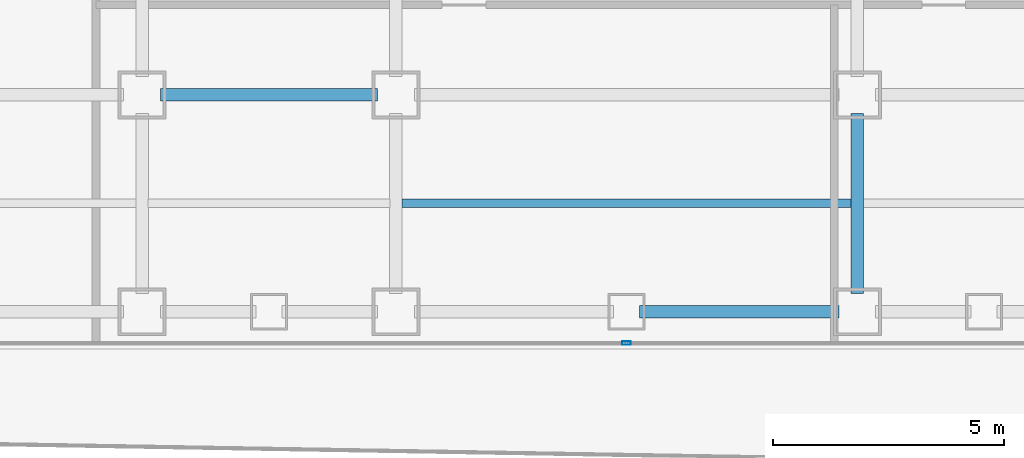
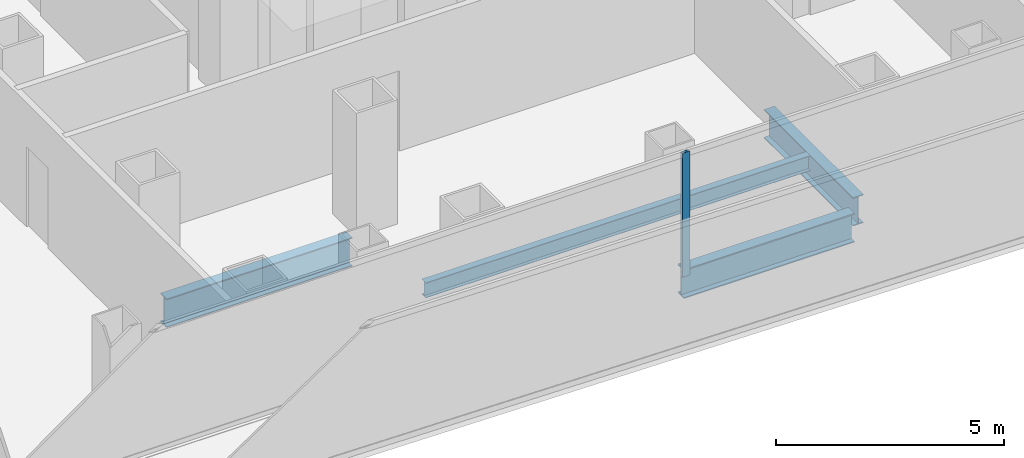
# One storey, part 4 of 21: 4 beams, 1 member, 1 element without a shape of its own.
"""IFC4 building model written with IfcOpenShell, lengths in metres."""

import ifcopenshell
import ifcopenshell.guid

model = None  # the IFC model being written
_history = None  # IfcOwnerHistory: only IFC2X3 demands one
_inside = {}  # id of a spatial element -> (the spatial element, [elements in it])
_under = {}  # id of a project, library or spatial element -> (it, [spatial elements below it])
_declared = {}  # id of a project -> (the project, [libraries it declares])
_typed = {}  # id of a type object -> (the type object, [elements of that type])
_made_of = {}  # id of a material, layer set ... -> (it, [elements and type objects made of it])


def new_model(schema):
    """Start an empty IFC model of exactly this schema.

    Asked for "IFC4X3", IfcOpenShell would pick the latest addendum, in which some entities
    have other attributes; the version numbers below select the first issue.
    IFC2X3 requires an IfcOwnerHistory on every rooted entity: one is made here for all.
    """
    global model, _history
    if schema == "IFC4X3":
        model = ifcopenshell.file(schema_version=(4, 3, 0, 0))
    else:
        model = ifcopenshell.file(schema=schema)
    _inside.clear()
    _under.clear()
    _declared.clear()
    _typed.clear()
    _made_of.clear()
    _history = None
    if model.schema == "IFC2X3":
        org = make("IfcOrganization", Name="unknown")
        user = make(
            "IfcPersonAndOrganization",
            ThePerson=make("IfcPerson", FamilyName="unknown"),
            TheOrganization=org,
        )
        app = make(
            "IfcApplication",
            ApplicationDeveloper=org,
            Version="unknown",
            ApplicationFullName="unknown",
            ApplicationIdentifier="unknown",
        )
        _history = make(
            "IfcOwnerHistory",
            OwningUser=user,
            OwningApplication=app,
            ChangeAction="ADDED",
            CreationDate=0,
        )
    return model


def make(cls, **values):
    """One entity of the class cls with the attributes given. An attribute that is None is left unset."""
    return model.create_entity(
        cls, **{name: value for name, value in values.items() if value is not None}
    )


def rooted(cls, **values):
    """An entity with a GlobalId (a new one), such as an element, a storey or a relation."""
    return make(cls, GlobalId=ifcopenshell.guid.new(), OwnerHistory=_history, **values)


def si_unit(unit_type, name, prefix=None):
    """IfcSIUnit, for example si_unit("LENGTHUNIT", "METRE", prefix="MILLI")."""
    return make("IfcSIUnit", UnitType=unit_type, Prefix=prefix, Name=name)


def assignment(units):
    """IfcUnitAssignment: the units of a project."""
    return None if units is None else make("IfcUnitAssignment", Units=units)


def point(xyz):
    """IfcCartesianPoint."""
    return None if xyz is None else make("IfcCartesianPoint", Coordinates=xyz)


def direction(xyz):
    """IfcDirection."""
    return None if xyz is None else make("IfcDirection", DirectionRatios=xyz)


def frame(location, z_axis=None, x_axis=None):
    """IfcAxis2Placement3D, a coordinate frame: its origin and axes. An axis left out is left unset."""
    return make(
        "IfcAxis2Placement3D",
        Location=point(location),
        Axis=direction(z_axis),
        RefDirection=direction(x_axis),
    )


def frame_2d(location, x_axis=None):
    """IfcAxis2Placement2D, a coordinate frame in the plane: its origin and x axis."""
    return make(
        "IfcAxis2Placement2D", Location=point(location), RefDirection=direction(x_axis)
    )


def origin():
    """The frame at (0, 0, 0) with its axes left unset."""
    return frame((0.0, 0.0, 0.0))


def origin_2d():
    """The frame at (0, 0) in the plane with its x axis left unset."""
    return frame_2d((0.0, 0.0))


def place(relative_to, where):
    """IfcLocalPlacement: puts the frame where relative to a parent placement (None: the world)."""
    return make(
        "IfcLocalPlacement", PlacementRelTo=relative_to, RelativePlacement=where
    )


def context(
    kind, dimensions, precision=None, world=None, true_north=None, identifier=None
):
    """IfcGeometricRepresentationContext, for example the 3D "Model" context."""
    return make(
        "IfcGeometricRepresentationContext",
        ContextIdentifier=identifier,
        ContextType=kind,
        CoordinateSpaceDimension=dimensions,
        Precision=precision,
        WorldCoordinateSystem=world,
        TrueNorth=true_north,
    )


def subcontext(parent, identifier, kind, view, scale=None):
    """IfcGeometricRepresentationSubContext, for example "Body" below "Model"."""
    return make(
        "IfcGeometricRepresentationSubContext",
        ContextIdentifier=identifier,
        ContextType=kind,
        ParentContext=parent,
        TargetScale=scale,
        TargetView=view,
    )


def project(units=None, contexts=None):
    """IfcProject with its units and contexts."""
    return rooted(
        "IfcProject",
        Name="project",
        RepresentationContexts=contexts,
        UnitsInContext=assignment(units),
    )


def spatial(cls, under=None, at=None, **own):
    """A site, building, storey or space (cls), placed at a placement, below another one or the project."""
    s = rooted(cls, ObjectPlacement=at, **own)
    if under is not None:
        _under.setdefault(under.id(), (under, []))[1].append(s)
    return s


def profile(cls, at=None, kind="AREA", **sizes):
    """A parametric profile (cls). Its sizes go by their IFC names, for example OverallWidth=200.0."""
    return make(cls, ProfileType=kind, Position=at, **sizes)


def hollow_rectangle(**sizes):
    """IfcRectangleHollowProfileDef."""
    return profile("IfcRectangleHollowProfileDef", **sizes)


def i_section(**sizes):
    """IfcIShapeProfileDef."""
    return profile("IfcIShapeProfileDef", **sizes)


def extrude(swept, where, along, depth):
    """IfcExtrudedAreaSolid: the profile swept, set in the frame where, extruded along a direction by depth."""
    return make(
        "IfcExtrudedAreaSolid",
        SweptArea=swept,
        Position=where,
        ExtrudedDirection=direction(along),
        Depth=depth,
    )


def shape(context_of_items, identifier, shape_type, items):
    """IfcShapeRepresentation: the items that make up one representation, for example the "Body"."""
    return make(
        "IfcShapeRepresentation",
        ContextOfItems=context_of_items,
        RepresentationIdentifier=identifier,
        RepresentationType=shape_type,
        Items=items,
    )


def source(mapping_origin, context_of_items, identifier, shape_type, items):
    """IfcRepresentationMap: a shape defined once, which mapped items show again and again."""
    return make(
        "IfcRepresentationMap",
        MappingOrigin=mapping_origin,
        MappedRepresentation=shape(context_of_items, identifier, shape_type, items),
    )


def transform(
    local_origin,
    x_axis=None,
    y_axis=None,
    z_axis=None,
    scale=None,
    scale2=None,
    scale3=None,
    uniform=True,
):
    """IfcCartesianTransformationOperator3D, or its non-uniform kind. x_axis, y_axis, z_axis: its Axis1, 2, 3."""
    if uniform:
        return make(
            "IfcCartesianTransformationOperator3D",
            Axis1=direction(x_axis),
            Axis2=direction(y_axis),
            LocalOrigin=point(local_origin),
            Scale=scale,
            Axis3=direction(z_axis),
        )
    return make(
        "IfcCartesianTransformationOperator3DnonUniform",
        Axis1=direction(x_axis),
        Axis2=direction(y_axis),
        LocalOrigin=point(local_origin),
        Scale=scale,
        Axis3=direction(z_axis),
        Scale2=scale2,
        Scale3=scale3,
    )


def mapped(mapping_source, mapping_target):
    """IfcMappedItem: shows the shape of a source again, moved by a transform."""
    return make(
        "IfcMappedItem", MappingSource=mapping_source, MappingTarget=mapping_target
    )


def material(Name=None, Category=None):
    """IfcMaterial."""
    return make("IfcMaterial", Name=Name, Category=Category)


def layer(
    of_material, thickness, ventilated=None, Name=None, Category=None, Priority=None
):
    """IfcMaterialLayer: one layer of a wall or slab, of a material (None: an air gap)."""
    return make(
        "IfcMaterialLayer",
        Material=of_material,
        LayerThickness=thickness,
        IsVentilated=ventilated,
        Name=Name,
        Category=Category,
        Priority=Priority,
    )


def layer_set(layers, Name=None):
    """IfcMaterialLayerSet."""
    return make("IfcMaterialLayerSet", MaterialLayers=layers, LayerSetName=Name)


def material_profile(
    of_material, cross_section, Name=None, Category=None, Priority=None
):
    """IfcMaterialProfile: a cross section and its material."""
    return make(
        "IfcMaterialProfile",
        Name=Name,
        Material=of_material,
        Profile=cross_section,
        Priority=Priority,
        Category=Category,
    )


def profile_set(profiles, Name=None, composite=None):
    """IfcMaterialProfileSet."""
    return make(
        "IfcMaterialProfileSet",
        Name=Name,
        MaterialProfiles=profiles,
        CompositeProfile=composite,
    )


def made_of(thing, what):
    """Note that an element or type object is made of a material, layer set ...; save() writes the relation."""
    if what is not None:
        _made_of.setdefault(what.id(), (what, []))[1].append(thing)
    return thing


def type_object(cls, material=None, **own):
    """A type object (cls), such as IfcWallType, which elements share."""
    return made_of(rooted(cls, **own), material)


def element(
    cls,
    number,
    at=None,
    inside=None,
    cuts=None,
    type_object=None,
    material=None,
    context=None,
    identifier="Body",
    shape_type=None,
    held_by="IfcProductDefinitionShape",
    body=None,
    shapes=None,
    **own,
):
    """One element of the class cls, such as IfcWall. Its Tag is "e" and its number.

    at: its placement. inside: the storey or other place that contains it. cuts: it is an
    opening in that element (IfcRelVoidsElement). A single representation is given by context,
    identifier, shape_type and body (its items); several are given by shapes. held_by: the class
    of the entity that holds the representations. save() writes the other relations.
    """
    e = rooted(cls, Tag="e%d" % number, ObjectPlacement=at, **own)
    if body is not None:
        shapes = [shape(context, identifier, shape_type, body)]
    if shapes is not None:
        e.Representation = make(held_by, Representations=shapes)
    if inside is not None:
        _inside.setdefault(inside.id(), (inside, []))[1].append(e)
    if cuts is not None:
        rooted(
            "IfcRelVoidsElement", RelatingBuildingElement=cuts, RelatedOpeningElement=e
        )
    if type_object is not None:
        _typed.setdefault(type_object.id(), (type_object, []))[1].append(e)
    return made_of(e, material)


def aggregate(whole, parts):
    """IfcRelAggregates: a whole, such as a stair, and the parts it consists of."""
    return rooted("IfcRelAggregates", RelatingObject=whole, RelatedObjects=parts)


def save(model, path):
    """Write the relations noted so far, then the file.

    IfcRelAggregates (storeys below a building ...), IfcRelContainedInSpatialStructure (elements
    in a storey), IfcRelDefinesByType, IfcRelAssociatesMaterial and IfcRelDeclares: one each for
    every whole, place, type object, material and project.
    """
    for whole, parts in _under.values():
        aggregate(whole, parts)
    for where, things in _inside.values():
        rooted(
            "IfcRelContainedInSpatialStructure",
            RelatedElements=things,
            RelatingStructure=where,
        )
    for kind, things in _typed.values():
        rooted("IfcRelDefinesByType", RelatedObjects=things, RelatingType=kind)
    for what, things in _made_of.values():
        rooted("IfcRelAssociatesMaterial", RelatedObjects=things, RelatingMaterial=what)
    for by, libraries in _declared.values():
        rooted("IfcRelDeclares", RelatingContext=by, RelatedDefinitions=libraries)
    model.write(path)


model = new_model("IFC4")

# Units and contexts
model_context = context("Model", 3, precision=1e-05, world=origin(), true_north=direction((0.0, 1.0)))
body_context = subcontext(model_context, "Body", "Model", "MODEL_VIEW")
ifc_project = project(units=[si_unit("LENGTHUNIT", "METRE"), si_unit("AREAUNIT", "SQUARE_METRE"), si_unit("VOLUMEUNIT", "CUBIC_METRE"), si_unit("PLANEANGLEUNIT", "RADIAN"), si_unit("MASSUNIT", "GRAM", prefix="KILO")], contexts=[model_context])

# Site, building, storey
site_placement = place(None, origin())
site = spatial("IfcSite", under=ifc_project, at=site_placement, CompositionType="ELEMENT")
building_placement = place(site_placement, origin())
building = spatial("IfcBuilding", under=site, at=building_placement, Name="Kolveth Station Tower", CompositionType="ELEMENT")
storey_placement = place(building_placement, frame((0.0, 0.0, 58.5)))
storey = spatial("IfcBuildingStorey", under=building, at=storey_placement, Name="L15", CompositionType="ELEMENT", Elevation=58.5)

# Beams
ifc_material_1 = material(Name="Steel S355", Category="steel")
ifc_material_profile_1 = material_profile(ifc_material_1, i_section(OverallWidth=0.26904296875, OverallDepth=0.77490234375, WebThickness=0.01708984375, FlangeThickness=0.0283203125, at=origin_2d()), Name="W760x220")
ifc_profile_set_1 = profile_set([ifc_material_profile_1], Name="Steel S355")
beam_type_1 = type_object("IfcBeamType", Name="Beam_SP1", PredefinedType="SPANDREL", material=ifc_profile_set_1)
shared_shape_1 = source(origin(), body_context, "Body", "SweptSolid", [
    extrude(i_section(OverallWidth=0.26904296875, OverallDepth=0.77490234375, WebThickness=0.01708984375, FlangeThickness=0.0283203125, at=origin_2d()), origin(), (0.0, 0.0, 1.0), 4.320068359375),
])
beam_1_placement = place(storey_placement, frame((23.780029296875, 0.800048828125, -0.66748046875), z_axis=(1.0, 0.0, 0.0), x_axis=(0.0, 1.0, 0.0)))
element("IfcBeam", 1, at=beam_1_placement, inside=storey, type_object=beam_type_1, Name="L15 Perimeter Spandrel BM-L15-PS-6", PredefinedType="SPANDREL", context=body_context, shape_type="MappedRepresentation", body=[
    mapped(shared_shape_1, transform((0.0, 0.0, 0.0), x_axis=(1.0, 0.0, 0.0), y_axis=(0.0, 1.0, 0.0), z_axis=(0.0, 0.0, 1.0), scale=1.0)),
])
ifc_material_profile_2 = material_profile(ifc_material_1, i_section(OverallWidth=0.26708984375, OverallDepth=0.76611328125, WebThickness=0.014892578125, FlangeThickness=0.023681640625, at=origin_2d()), Name="W760x185")
ifc_profile_set_2 = profile_set([ifc_material_profile_2], Name="Steel S355")
beam_type_2 = type_object("IfcBeamType", Name="Beam_B3", PredefinedType="BEAM", material=ifc_profile_set_2)
shared_shape_2 = source(origin(), body_context, "Body", "SweptSolid", [
    extrude(i_section(OverallWidth=0.26708984375, OverallDepth=0.76611328125, WebThickness=0.014892578125, FlangeThickness=0.023681640625, at=origin_2d()), origin(), (0.0, 0.0, 1.0), 4.7001953125),
])
beam_2_placement = place(storey_placement, frame((13.39990234375, 5.5, -0.6630859375), z_axis=(1.0, 0.0, 0.0), x_axis=(0.0, 1.0, 0.0)))
element("IfcBeam", 2, at=beam_2_placement, inside=storey, type_object=beam_type_2, Name="L15 Primary Girder BM-L15-GY55-3", PredefinedType="BEAM", context=body_context, shape_type="MappedRepresentation", body=[
    mapped(shared_shape_2, transform((0.0, 0.0, 0.0), x_axis=(1.0, 0.0, 0.0), y_axis=(0.0, 1.0, 0.0), z_axis=(0.0, 0.0, 1.0), scale=1.0)),
])
shared_shape_3 = source(origin(), body_context, "Body", "SweptSolid", [
    extrude(i_section(OverallWidth=0.26708984375, OverallDepth=0.76611328125, WebThickness=0.014892578125, FlangeThickness=0.023681640625, at=origin_2d()), origin(), (0.0, 0.0, 1.0), 3.900146484375),
])
beam_3_placement = place(storey_placement, frame((28.5, 1.199951171875, -0.6630859375), z_axis=(0.0, 1.0, 0.0), x_axis=(-1.0, 0.0, 0.0)))
element("IfcBeam", 3, at=beam_3_placement, inside=storey, type_object=beam_type_2, Name="L15 Primary Girder BM-L15-GX285-1", PredefinedType="BEAM", context=body_context, shape_type="MappedRepresentation", body=[
    mapped(shared_shape_3, transform((0.0, 0.0, 0.0), x_axis=(1.0, 0.0, 0.0), y_axis=(0.0, 1.0, 0.0), z_axis=(0.0, 0.0, 1.0), scale=1.0)),
])
ifc_material_profile_3 = material_profile(ifc_material_1, i_section(OverallWidth=0.177978515625, OverallDepth=0.406982421875, WebThickness=0.0078125, FlangeThickness=0.0126953125, at=origin_2d()), Name="W410x60")
ifc_profile_set_3 = profile_set([ifc_material_profile_3], Name="Steel S355")
beam_type_3 = type_object("IfcBeamType", Name="Beam_J1", PredefinedType="JOIST", material=ifc_profile_set_3)
shared_shape_4 = source(origin(), body_context, "Body", "SweptSolid", [
    extrude(i_section(OverallWidth=0.177978515625, OverallDepth=0.406982421875, WebThickness=0.0078125, FlangeThickness=0.0126953125, at=origin_2d()), origin(), (0.0, 0.0, 1.0), 9.73681640625),
])
beam_4_placement = place(storey_placement, frame((18.631591796875, 3.14990234375, -0.4833984375), z_axis=(1.0, 0.0, 0.0), x_axis=(0.0, 1.0, 0.0)))
element("IfcBeam", 4, at=beam_4_placement, inside=storey, type_object=beam_type_3, Name="L15 Secondary Joist JST-L15-4-1", PredefinedType="JOIST", context=body_context, shape_type="MappedRepresentation", body=[
    mapped(shared_shape_4, transform((0.0, 0.0, 0.0), x_axis=(1.0, 0.0, 0.0), y_axis=(0.0, 1.0, 0.0), z_axis=(0.0, 0.0, 1.0), scale=1.0)),
])

# Curtain wall, member
ifc_material_2 = material(Name="Aluminium 6063-T6 and low-E dark glass", Category="aluminium")
ifc_layer = layer(ifc_material_2, 0.179931640625)
ifc_layer_set = layer_set([ifc_layer], Name="Aluminium 6063-T6 and low-E dark glass")
curtain_wall_type = type_object("IfcCurtainWallType", Name="CurtainWall_CW-Z1", PredefinedType="NOTDEFINED", material=ifc_layer_set)
curtain_wall_placement = place(storey_placement, origin())
curtain_wall = element("IfcCurtainWall", 5, at=curtain_wall_placement, inside=storey, type_object=curtain_wall_type, Name="L15 Inner Thermal Curtain Wall 12", PredefinedType="NOTDEFINED")
ifc_material_3 = material(Name="Black anodized aluminium 6063-T6", Category="aluminium")
ifc_material_profile_4 = material_profile(ifc_material_3, hollow_rectangle(XDim=0.074951171875, YDim=0.18994140625, WallThickness=0.0048828125, at=origin_2d()), Name="ALU-75x190x5")
ifc_profile_set_4 = profile_set([ifc_material_profile_4], Name="Black anodized aluminium 6063-T6")
member_type = type_object("IfcMemberType", Name="Mullion_ML1", PredefinedType="MULLION", material=ifc_profile_set_4)
shared_shape_5 = source(origin(), body_context, "Body", "SweptSolid", [
    extrude(hollow_rectangle(XDim=0.074951171875, YDim=0.18994140625, WallThickness=0.0048828125, at=origin_2d()), origin(), (0.0, 0.0, 1.0), 3.320068359375),
])
member_placement = place(storey_placement, frame((23.5, 0.1201171875, 0.0), z_axis=(0.0, 0.0, 1.0), x_axis=(0.0, 1.0, 0.0)))
member = element("IfcMember", 6, at=member_placement, type_object=member_type, Name="CW-Z1 mullion 2", PredefinedType="MULLION", context=body_context, shape_type="MappedRepresentation", body=[
    mapped(shared_shape_5, transform((0.0, 0.0, 0.0), x_axis=(1.0, 0.0, 0.0), y_axis=(0.0, 1.0, 0.0), z_axis=(0.0, 0.0, 1.0), scale=1.0)),
])
aggregate(curtain_wall, [member])

save(model, "model.ifc")
